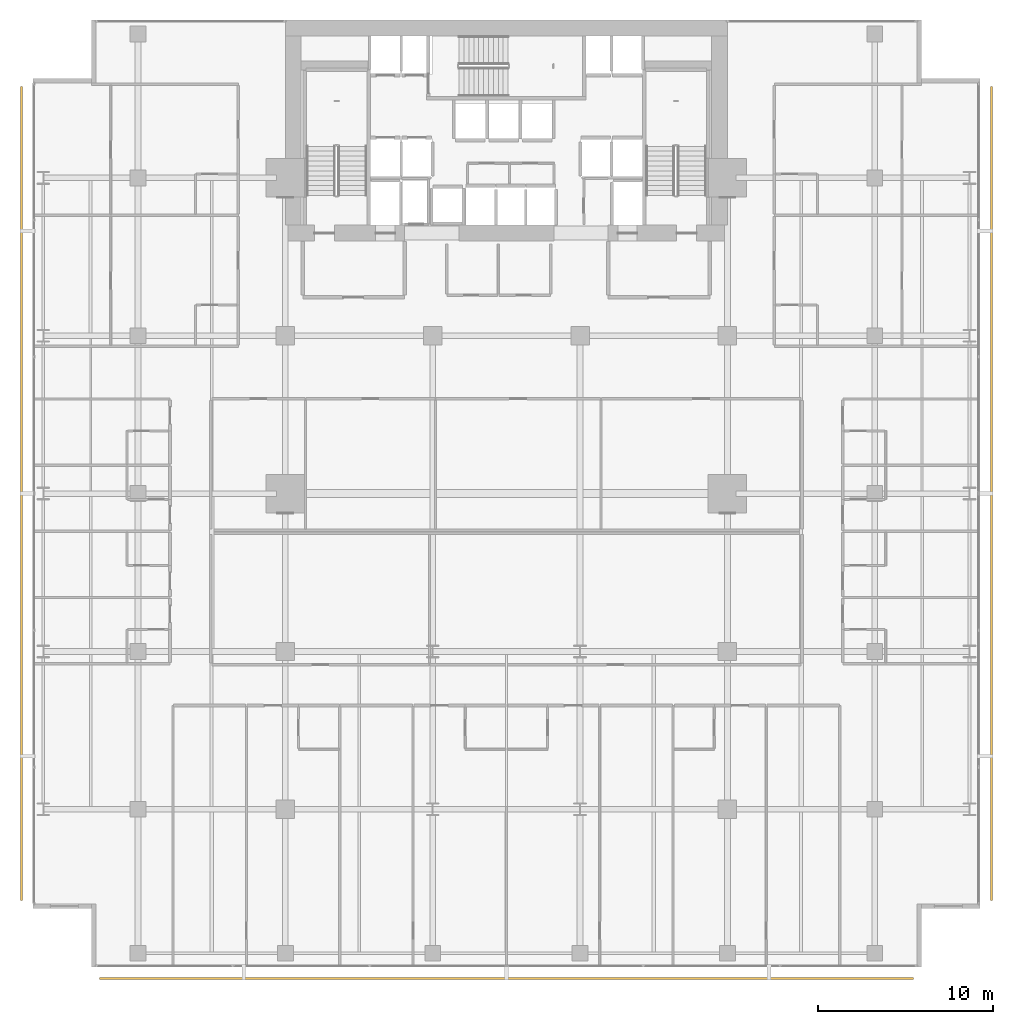
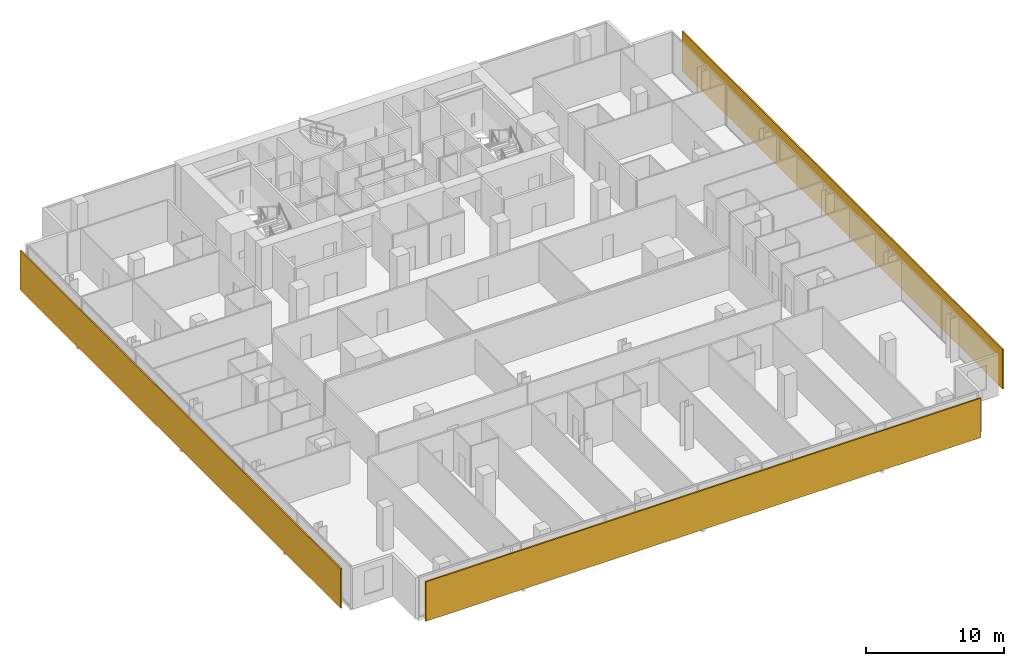
# One storey, part 39 of 40: 3 shading devices.
"""IFC4 building model written with IfcOpenShell, lengths in metres."""

from ifc_helpers import new_model, si_unit, direction, frame, origin, origin_2d, place, context, subcontext, project, spatial, rectangle, extrude, material, layer, layer_set, type_object, element, save


model = new_model("IFC4")

# Units and contexts
model_context = context("Model", 3, precision=1e-05, world=origin(), true_north=direction((0.0, 1.0)))
body_context = subcontext(model_context, "Body", "Model", "MODEL_VIEW")
ifc_project = project(units=[si_unit("LENGTHUNIT", "METRE"), si_unit("AREAUNIT", "SQUARE_METRE"), si_unit("VOLUMEUNIT", "CUBIC_METRE"), si_unit("PLANEANGLEUNIT", "RADIAN"), si_unit("MASSUNIT", "GRAM", prefix="KILO")], contexts=[model_context])

# Site, building, storey
site_placement = place(None, origin())
site = spatial("IfcSite", under=ifc_project, at=site_placement, CompositionType="ELEMENT")
building_placement = place(site_placement, origin())
building = spatial("IfcBuilding", under=site, at=building_placement, Name="Maruvema Waterfront Hotel and Observation Tower", CompositionType="ELEMENT")
storey_placement = place(building_placement, frame((0.0, 0.0, 107.800048828125)))
storey = spatial("IfcBuildingStorey", under=building, at=storey_placement, Name="L26", CompositionType="ELEMENT", Elevation=107.800048828125)

# Shading devices
ifc_material = material(Name="Honed travertine stone and anodised architectural bronze", Category="masonry")
ifc_layer = layer(ifc_material, 0.1201171875, Name="Ventilated Outer Skin Cobogo Stone-and-Bronze Screen 120 mm")
ifc_layer_set = layer_set([ifc_layer], Name="Honed travertine stone and anodised architectural bronze")
shading_device_type = type_object("IfcShadingDeviceType", Name="Ventilated Outer Skin Cobogo Stone-and-Bronze Screen 120 mm", PredefinedType="USERDEFINED", material=ifc_layer_set)
for number, where, z_axis, x_axis, name in (
    (1, (37.800048828125, -0.64990234375, 0.06005859375), (0.0, 0.0, 1.0), (1.0, 0.0, 0.0), "L26 Ventilated Double-Skin Outer Cobogo Screen OS-L26-S"),
    (2, (65.449951171875, 27.0, 0.06005859375), (0.0, 0.0, 1.0), (0.0, 1.0, 0.0), "L26 Ventilated Double-Skin Outer Cobogo Screen OS-L26-E"),
    (3, (10.14990234375, 27.0, 0.06005859375), (0.0, 0.0, 1.0), (0.0, -1.0, 0.0), "L26 Ventilated Double-Skin Outer Cobogo Screen OS-L26-W"),
):
    element("IfcShadingDevice", number, at=place(storey_placement, frame(where, z_axis=z_axis, x_axis=x_axis)), inside=storey, type_object=shading_device_type, Name=name, ObjectType="OUTER SKIN SCREEN", PredefinedType="USERDEFINED", context=body_context, shape_type="SweptSolid", body=[
        extrude(rectangle(XDim=46.39990234375, YDim=0.1201171875, at=origin_2d()), origin(), (0.0, 0.0, 1.0), 3.489990234375),
    ])

save(model, "model.ifc")
